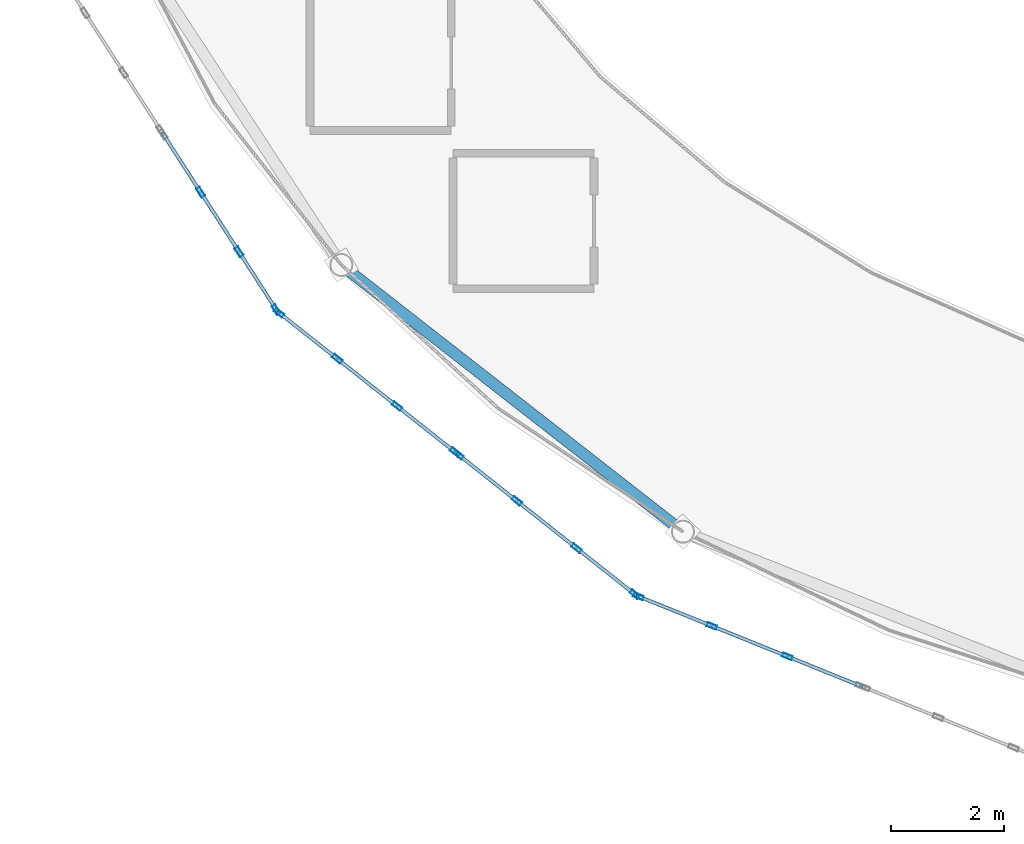
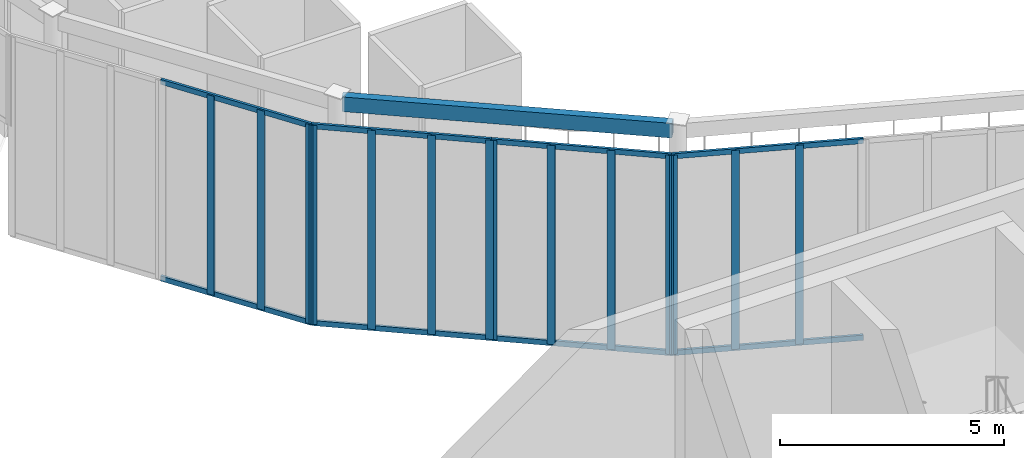
# One storey, part 38 of 98: 22 members, 1 beam, 4 elements without a shape of their own.
"""IFC4 building model written with IfcOpenShell, lengths in metres."""

from ifc_helpers import new_model, si_unit, direction, frame, origin, origin_2d, place, context, subcontext, project, spatial, hollow_rectangle, extrude, material, layer, layer_set, material_profile, profile_set, type_object, element, aggregate, save


model = new_model("IFC4")

# Units and contexts
model_context = context("Model", 3, precision=1e-05, world=origin(), true_north=direction((0.0, 1.0)))
body_context = subcontext(model_context, "Body", "Model", "MODEL_VIEW")
ifc_project = project(units=[si_unit("LENGTHUNIT", "METRE"), si_unit("AREAUNIT", "SQUARE_METRE"), si_unit("VOLUMEUNIT", "CUBIC_METRE"), si_unit("PLANEANGLEUNIT", "RADIAN"), si_unit("MASSUNIT", "GRAM", prefix="KILO")], contexts=[model_context])

# Site, building, storey
site_placement = place(None, origin())
site = spatial("IfcSite", under=ifc_project, at=site_placement, CompositionType="ELEMENT")
building_placement = place(site_placement, origin())
building = spatial("IfcBuilding", under=site, at=building_placement, Name="Sollismere Congress Hotel", CompositionType="ELEMENT")
storey_placement = place(building_placement, frame((0.0, 0.0, 5.39990234375)))
storey = spatial("IfcBuildingStorey", under=building, at=storey_placement, Name="L01", CompositionType="ELEMENT", Elevation=5.39990234375)

# Beam
ifc_material_1 = material(Name="Steel ASTM A500 Grade C", Category="steel")
ifc_material_profile_1 = material_profile(ifc_material_1, hollow_rectangle(XDim=0.199951171875, YDim=0.39990234375, WallThickness=0.011962890625, at=origin_2d()), Name="HSS400X200X12")
ifc_profile_set_1 = profile_set([ifc_material_profile_1], Name="Steel ASTM A500 Grade C")
beam_type = type_object("IfcBeamType", Name="BM-BX400", PredefinedType="HOLLOWCORE", material=ifc_profile_set_1)
beam_placement = place(storey_placement, frame((6.968017578125, 77.777099609375, 5.150146484375), z_axis=(0.788263734949, -0.615337536775, 0.0), x_axis=(0.615337536775, 0.788263734949, 0.0)))
element("IfcBeam", 1, at=beam_placement, inside=storey, type_object=beam_type, Name="Beam BM-L01-4198", PredefinedType="HOLLOWCORE", context=body_context, shape_type="SweptSolid", body=[
    extrude(hollow_rectangle(XDim=0.199951171875, YDim=0.39990234375, WallThickness=0.011962890625, at=origin_2d()), origin(), (0.0, 0.0, 1.0), 7.43603515625),
])

# Curtain wall, members
ifc_material_2 = material(Name="Anodized Bronze Curtain Wall & Low-E Triple Glazing", Category="glass")
ifc_layer = layer(ifc_material_2, 0.199951171875, Name="Anodized Bronze Curtain Wall & Low-E Triple Glazing")
ifc_layer_set = layer_set([ifc_layer], Name="Anodized Bronze Curtain Wall & Low-E Triple Glazing")
curtain_wall_type = type_object("IfcCurtainWallType", Name="CW-GLZ36", PredefinedType="USERDEFINED", material=ifc_layer_set)
curtain_wall_1_placement = place(storey_placement, origin())
curtain_wall_1 = element("IfcCurtainWall", 2, at=curtain_wall_1_placement, inside=storey, type_object=curtain_wall_type, Name="Unitised curtain wall CW-L01-050", ObjectType="UNITISED CURTAIN WALL", PredefinedType="USERDEFINED")
ifc_material_3 = material(Name="Anodized Aluminum 6063-T6", Category="aluminium")
ifc_material_profile_2 = material_profile(ifc_material_3, hollow_rectangle(XDim=0.074951171875, YDim=0.179931640625, WallThickness=0.0048828125, at=origin_2d()), Name="ALU180X75X5")
ifc_profile_set_2 = profile_set([ifc_material_profile_2], Name="Anodized Aluminum 6063-T6")
member_type_1 = type_object("IfcMemberType", Name="ML-CW180", PredefinedType="MULLION", material=ifc_profile_set_2)
member_1_placement = place(storey_placement, frame((4.379638671875, 79.141845703125, 0.0), z_axis=(0.0, 0.0, 1.0), x_axis=(0.840774542547, 0.541385415951, 0.0)))
member_1 = element("IfcMember", 3, at=member_1_placement, type_object=member_type_1, Name="CWL-CW-L01-050-ML02", PredefinedType="MULLION", context=body_context, shape_type="SweptSolid", body=[
    extrude(hollow_rectangle(XDim=0.074951171875, YDim=0.179931640625, WallThickness=0.0048828125, at=origin_2d()), origin(), (0.0, 0.0, 1.0), 5.420166015625),
])
member_2_placement = place(storey_placement, frame((5.060302734375, 78.0849609375, 0.0), z_axis=(0.0, 0.0, 1.0), x_axis=(0.840774542547, 0.541385415951, 0.0)))
member_2 = element("IfcMember", 4, at=member_2_placement, type_object=member_type_1, Name="CWL-CW-L01-050-ML03", PredefinedType="MULLION", context=body_context, shape_type="SweptSolid", body=[
    extrude(hollow_rectangle(XDim=0.074951171875, YDim=0.179931640625, WallThickness=0.0048828125, at=origin_2d()), origin(), (0.0, 0.0, 1.0), 5.420166015625),
])
member_3_placement = place(storey_placement, frame((5.72021484375, 77.059814453125, 0.0), z_axis=(0.0, 0.0, 1.0), x_axis=(0.840774542547, 0.541385415951, 0.0)))
member_3 = element("IfcMember", 5, at=member_3_placement, type_object=member_type_1, Name="CWL-CW-L01-050-ML04", PredefinedType="MULLION", context=body_context, shape_type="SweptSolid", body=[
    extrude(hollow_rectangle(XDim=0.074951171875, YDim=0.179931640625, WallThickness=0.0048828125, at=origin_2d()), origin(), (0.0, 0.0, 1.0), 5.420166015625),
])

curtain_wall_2_placement = place(storey_placement, origin())
curtain_wall_2 = element("IfcCurtainWall", 6, at=curtain_wall_2_placement, inside=storey, type_object=curtain_wall_type, Name="Unitised curtain wall CW-L01-055", ObjectType="UNITISED CURTAIN WALL", PredefinedType="USERDEFINED")
member_4_placement = place(storey_placement, frame((5.7705078125, 77.00439453125, 0.0), z_axis=(0.0, 0.0, 1.0), x_axis=(0.620532077362, 0.784181063891, 0.0)))
member_4 = element("IfcMember", 7, at=member_4_placement, type_object=member_type_1, Name="CWL-CW-L01-055-ML01", PredefinedType="MULLION", context=body_context, shape_type="SweptSolid", body=[
    extrude(hollow_rectangle(XDim=0.074951171875, YDim=0.179931640625, WallThickness=0.0048828125, at=origin_2d()), origin(), (0.0, 0.0, 1.0), 5.420166015625),
])
member_5_placement = place(storey_placement, frame((6.80078125, 76.189208984375, 0.0), z_axis=(0.0, 0.0, 1.0), x_axis=(0.620532077362, 0.784181063891, 0.0)))
member_5 = element("IfcMember", 8, at=member_5_placement, type_object=member_type_1, Name="CWL-CW-L01-055-ML02", PredefinedType="MULLION", context=body_context, shape_type="SweptSolid", body=[
    extrude(hollow_rectangle(XDim=0.074951171875, YDim=0.179931640625, WallThickness=0.0048828125, at=origin_2d()), origin(), (0.0, 0.0, 1.0), 5.420166015625),
])
member_6_placement = place(storey_placement, frame((7.86083984375, 75.35009765625, 0.0), z_axis=(0.0, 0.0, 1.0), x_axis=(0.620532077362, 0.784181063891, 0.0)))
member_6 = element("IfcMember", 9, at=member_6_placement, type_object=member_type_1, Name="CWL-CW-L01-055-ML03", PredefinedType="MULLION", context=body_context, shape_type="SweptSolid", body=[
    extrude(hollow_rectangle(XDim=0.074951171875, YDim=0.179931640625, WallThickness=0.0048828125, at=origin_2d()), origin(), (0.0, 0.0, 1.0), 5.420166015625),
])
member_7_placement = place(storey_placement, frame((8.89111328125, 74.534912109375, 0.0), z_axis=(0.0, 0.0, 1.0), x_axis=(0.620532077362, 0.784181063891, 0.0)))
member_7 = element("IfcMember", 10, at=member_7_placement, type_object=member_type_1, Name="CWL-CW-L01-055-ML04", PredefinedType="MULLION", context=body_context, shape_type="SweptSolid", body=[
    extrude(hollow_rectangle(XDim=0.074951171875, YDim=0.179931640625, WallThickness=0.0048828125, at=origin_2d()), origin(), (0.0, 0.0, 1.0), 5.420166015625),
])

curtain_wall_3_placement = place(storey_placement, origin())
curtain_wall_3 = element("IfcCurtainWall", 11, at=curtain_wall_3_placement, inside=storey, type_object=curtain_wall_type, Name="Unitised curtain wall CW-L01-056", ObjectType="UNITISED CURTAIN WALL", PredefinedType="USERDEFINED")
member_8_placement = place(storey_placement, frame((8.95068359375, 74.48779296875, 0.0), z_axis=(0.0, 0.0, 1.0), x_axis=(0.620532077362, 0.784181063891, 0.0)))
member_8 = element("IfcMember", 12, at=member_8_placement, type_object=member_type_1, Name="CWL-CW-L01-056-ML01", PredefinedType="MULLION", context=body_context, shape_type="SweptSolid", body=[
    extrude(hollow_rectangle(XDim=0.074951171875, YDim=0.179931640625, WallThickness=0.0048828125, at=origin_2d()), origin(), (0.0, 0.0, 1.0), 5.420166015625),
])
member_9_placement = place(storey_placement, frame((9.981201171875, 73.672607421875, 0.0), z_axis=(0.0, 0.0, 1.0), x_axis=(0.620532077362, 0.784181063891, 0.0)))
member_9 = element("IfcMember", 13, at=member_9_placement, type_object=member_type_1, Name="CWL-CW-L01-056-ML02", PredefinedType="MULLION", context=body_context, shape_type="SweptSolid", body=[
    extrude(hollow_rectangle(XDim=0.074951171875, YDim=0.179931640625, WallThickness=0.0048828125, at=origin_2d()), origin(), (0.0, 0.0, 1.0), 5.420166015625),
])
member_10_placement = place(storey_placement, frame((11.041015625, 72.833740234375, 0.0), z_axis=(0.0, 0.0, 1.0), x_axis=(0.620532077362, 0.784181063891, 0.0)))
member_10 = element("IfcMember", 14, at=member_10_placement, type_object=member_type_1, Name="CWL-CW-L01-056-ML03", PredefinedType="MULLION", context=body_context, shape_type="SweptSolid", body=[
    extrude(hollow_rectangle(XDim=0.074951171875, YDim=0.179931640625, WallThickness=0.0048828125, at=origin_2d()), origin(), (0.0, 0.0, 1.0), 5.420166015625),
])
member_11_placement = place(storey_placement, frame((12.0712890625, 72.0185546875, 0.0), z_axis=(0.0, 0.0, 1.0), x_axis=(0.620532077362, 0.784181063891, 0.0)))
member_11 = element("IfcMember", 15, at=member_11_placement, type_object=member_type_1, Name="CWL-CW-L01-056-ML04", PredefinedType="MULLION", context=body_context, shape_type="SweptSolid", body=[
    extrude(hollow_rectangle(XDim=0.074951171875, YDim=0.179931640625, WallThickness=0.0048828125, at=origin_2d()), origin(), (0.0, 0.0, 1.0), 5.420166015625),
])

curtain_wall_4_placement = place(storey_placement, origin())
curtain_wall_4 = element("IfcCurtainWall", 16, at=curtain_wall_4_placement, inside=storey, type_object=curtain_wall_type, Name="Unitised curtain wall CW-L01-061", ObjectType="UNITISED CURTAIN WALL", PredefinedType="USERDEFINED")
member_12_placement = place(storey_placement, frame((12.136474609375, 71.980712890625, 0.0), z_axis=(0.0, 0.0, 1.0), x_axis=(0.373943018709, 0.927451680013, 0.0)))
member_12 = element("IfcMember", 17, at=member_12_placement, type_object=member_type_1, Name="CWL-CW-L01-061-ML01", PredefinedType="MULLION", context=body_context, shape_type="SweptSolid", body=[
    extrude(hollow_rectangle(XDim=0.074951171875, YDim=0.179931640625, WallThickness=0.0048828125, at=origin_2d()), origin(), (0.0, 0.0, 1.0), 5.420166015625),
])
member_13_placement = place(storey_placement, frame((13.43701171875, 71.456298828125, 0.0), z_axis=(0.0, 0.0, 1.0), x_axis=(0.373943018709, 0.927451680013, 0.0)))
member_13 = element("IfcMember", 18, at=member_13_placement, type_object=member_type_1, Name="CWL-CW-L01-061-ML02", PredefinedType="MULLION", context=body_context, shape_type="SweptSolid", body=[
    extrude(hollow_rectangle(XDim=0.074951171875, YDim=0.179931640625, WallThickness=0.0048828125, at=origin_2d()), origin(), (0.0, 0.0, 1.0), 5.420166015625),
])
member_14_placement = place(storey_placement, frame((14.772705078125, 70.917724609375, 0.0), z_axis=(0.0, 0.0, 1.0), x_axis=(0.373943018709, 0.927451680013, 0.0)))
member_14 = element("IfcMember", 19, at=member_14_placement, type_object=member_type_1, Name="CWL-CW-L01-061-ML03", PredefinedType="MULLION", context=body_context, shape_type="SweptSolid", body=[
    extrude(hollow_rectangle(XDim=0.074951171875, YDim=0.179931640625, WallThickness=0.0048828125, at=origin_2d()), origin(), (0.0, 0.0, 1.0), 5.420166015625),
])

# Member
ifc_material_profile_3 = material_profile(ifc_material_3, hollow_rectangle(XDim=0.06494140625, YDim=0.139892578125, WallThickness=0.00390625, at=origin_2d()), Name="ALU140X65X4")
ifc_profile_set_3 = profile_set([ifc_material_profile_3], Name="Anodized Aluminum 6063-T6")
member_type_2 = type_object("IfcMemberType", Name="TR-CW150", PredefinedType="MEMBER", material=ifc_profile_set_3)
member_15_placement = place(storey_placement, frame((3.698974609375, 80.198974609375, 0.03271484375), z_axis=(0.541349622113, -0.840797589577, 0.0), x_axis=(0.840797589577, 0.541349622113, 0.0)))
member_15 = element("IfcMember", 20, at=member_15_placement, type_object=member_type_2, Name="CWL-CW-L01-050-TR1", PredefinedType="MEMBER", context=body_context, shape_type="SweptSolid", body=[
    extrude(hollow_rectangle(XDim=0.06494140625, YDim=0.139892578125, WallThickness=0.00390625, at=origin_2d()), origin(), (0.0, 0.0, 1.0), 3.771484375),
])

member_16_placement = place(storey_placement, frame((3.698974609375, 80.198974609375, 5.3876953125), z_axis=(0.541349622113, -0.840797589577, 0.0), x_axis=(0.840797589577, 0.541349622113, 0.0)))
member_16 = element("IfcMember", 21, at=member_16_placement, type_object=member_type_2, Name="CWL-CW-L01-050-TR2", PredefinedType="MEMBER", context=body_context, shape_type="SweptSolid", body=[
    extrude(hollow_rectangle(XDim=0.06494140625, YDim=0.139892578125, WallThickness=0.00390625, at=origin_2d()), origin(), (0.0, 0.0, 1.0), 3.771484375),
])

aggregate(curtain_wall_1, [member_1, member_2, member_3, member_15, member_16])

member_17_placement = place(storey_placement, frame((5.74072265625, 77.02783203125, 0.03271484375), z_axis=(0.78419961589, -0.620508632042, 0.0), x_axis=(0.620508632042, 0.78419961589, 0.0)))
member_17 = element("IfcMember", 22, at=member_17_placement, type_object=member_type_2, Name="CWL-CW-L01-055-TR1", PredefinedType="MEMBER", context=body_context, shape_type="SweptSolid", body=[
    extrude(hollow_rectangle(XDim=0.06494140625, YDim=0.139892578125, WallThickness=0.00390625, at=origin_2d()), origin(), (0.0, 0.0, 1.0), 4.055419921875),
])

member_18_placement = place(storey_placement, frame((5.74072265625, 77.02783203125, 5.3876953125), z_axis=(0.78419961589, -0.620508632042, 0.0), x_axis=(0.620508632042, 0.78419961589, 0.0)))
member_18 = element("IfcMember", 23, at=member_18_placement, type_object=member_type_2, Name="CWL-CW-L01-055-TR2", PredefinedType="MEMBER", context=body_context, shape_type="SweptSolid", body=[
    extrude(hollow_rectangle(XDim=0.06494140625, YDim=0.139892578125, WallThickness=0.00390625, at=origin_2d()), origin(), (0.0, 0.0, 1.0), 4.055419921875),
])

aggregate(curtain_wall_2, [member_4, member_5, member_6, member_7, member_17, member_18])

member_19_placement = place(storey_placement, frame((8.9208984375, 74.511474609375, 0.03271484375), z_axis=(0.784193501486, -0.620516359355, 0.0), x_axis=(0.620516359355, 0.784193501486, 0.0)))
member_19 = element("IfcMember", 24, at=member_19_placement, type_object=member_type_2, Name="CWL-CW-L01-056-TR1", PredefinedType="MEMBER", context=body_context, shape_type="SweptSolid", body=[
    extrude(hollow_rectangle(XDim=0.06494140625, YDim=0.139892578125, WallThickness=0.00390625, at=origin_2d()), origin(), (0.0, 0.0, 1.0), 4.0556640625),
])

member_20_placement = place(storey_placement, frame((8.9208984375, 74.511474609375, 5.3876953125), z_axis=(0.784193501486, -0.620516359355, 0.0), x_axis=(0.620516359355, 0.784193501486, 0.0)))
member_20 = element("IfcMember", 25, at=member_20_placement, type_object=member_type_2, Name="CWL-CW-L01-056-TR2", PredefinedType="MEMBER", context=body_context, shape_type="SweptSolid", body=[
    extrude(hollow_rectangle(XDim=0.06494140625, YDim=0.139892578125, WallThickness=0.00390625, at=origin_2d()), origin(), (0.0, 0.0, 1.0), 4.0556640625),
])

aggregate(curtain_wall_3, [member_8, member_9, member_10, member_11, member_19, member_20])

member_21_placement = place(storey_placement, frame((12.101318359375, 71.994873046875, 0.03271484375), z_axis=(0.927444316939, -0.373961280052, 0.0), x_axis=(0.373961280052, 0.927444316939, 0.0)))
member_21 = element("IfcMember", 26, at=member_21_placement, type_object=member_type_2, Name="CWL-CW-L01-061-TR1", PredefinedType="MEMBER", context=body_context, shape_type="SweptSolid", body=[
    extrude(hollow_rectangle(XDim=0.06494140625, YDim=0.139892578125, WallThickness=0.00390625, at=origin_2d()), origin(), (0.0, 0.0, 1.0), 4.320556640625),
])

member_22_placement = place(storey_placement, frame((12.101318359375, 71.994873046875, 5.3876953125), z_axis=(0.927444316939, -0.373961280052, 0.0), x_axis=(0.373961280052, 0.927444316939, 0.0)))
member_22 = element("IfcMember", 27, at=member_22_placement, type_object=member_type_2, Name="CWL-CW-L01-061-TR2", PredefinedType="MEMBER", context=body_context, shape_type="SweptSolid", body=[
    extrude(hollow_rectangle(XDim=0.06494140625, YDim=0.139892578125, WallThickness=0.00390625, at=origin_2d()), origin(), (0.0, 0.0, 1.0), 4.320556640625),
])

aggregate(curtain_wall_4, [member_12, member_13, member_14, member_21, member_22])

save(model, "model.ifc")
